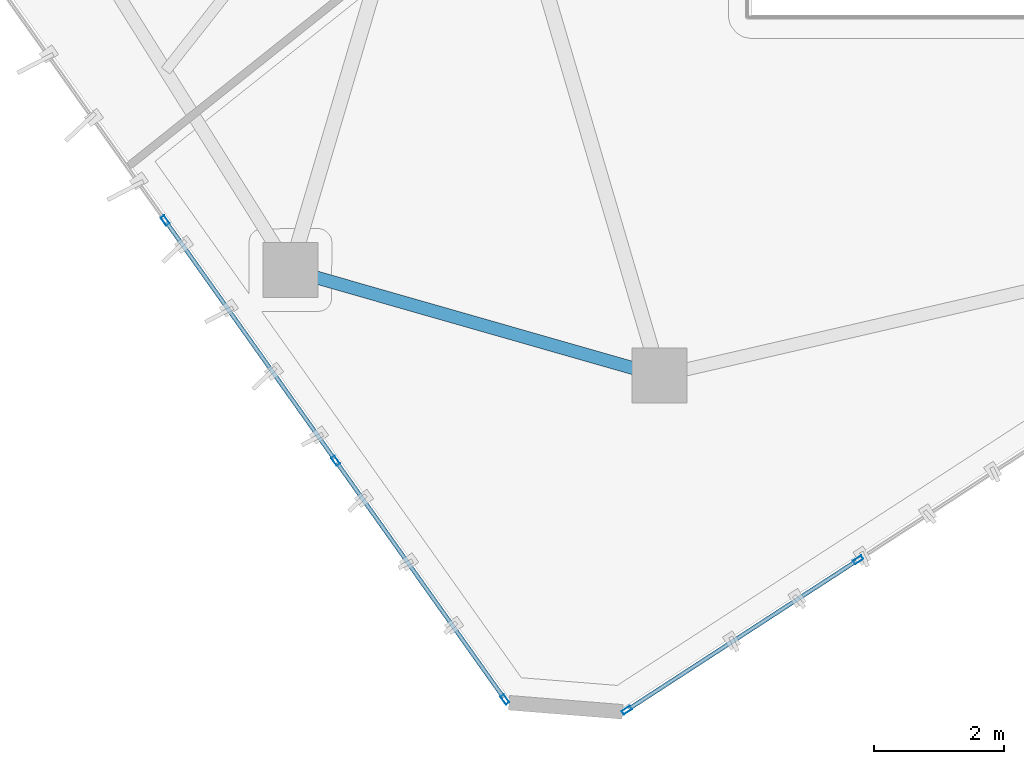
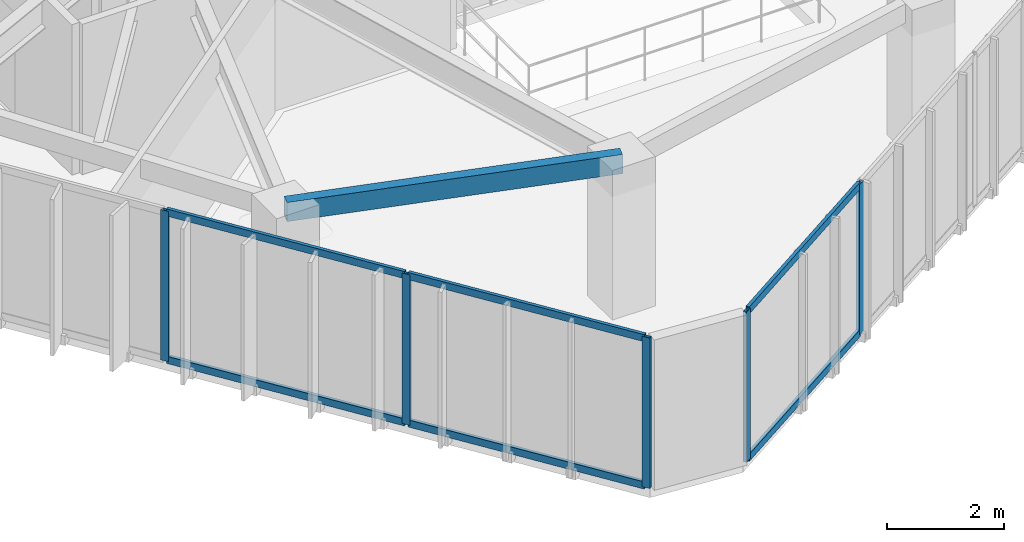
# One storey, part 2 of 20: 11 members, 1 beam, 2 elements without a shape of their own.
"""IFC4 building model written with IfcOpenShell, lengths in metres."""

from ifc_helpers import new_model, si_unit, direction, frame, origin, origin_2d, place, context, subcontext, project, spatial, hollow_rectangle, extrude, source, transform, mapped, material, layer, layer_set, material_profile, profile_set, type_object, type_shapes, element, aggregate, save


model = new_model("IFC4")

# Units and contexts
model_context = context("Model", 3, precision=1e-05, world=origin(), true_north=direction((0.0, 1.0)))
body_context = subcontext(model_context, "Body", "Model", "MODEL_VIEW")
ifc_project = project(units=[si_unit("LENGTHUNIT", "METRE"), si_unit("AREAUNIT", "SQUARE_METRE"), si_unit("VOLUMEUNIT", "CUBIC_METRE"), si_unit("PLANEANGLEUNIT", "RADIAN"), si_unit("MASSUNIT", "GRAM", prefix="KILO")], contexts=[model_context])

# Site, building, storey
site_placement = place(None, origin())
site = spatial("IfcSite", under=ifc_project, at=site_placement, CompositionType="ELEMENT")
building_placement = place(site_placement, origin())
building = spatial("IfcBuilding", under=site, at=building_placement, Name="Talar Marvaseh", CompositionType="ELEMENT")
storey_placement = place(building_placement, frame((0.0, 0.0, 247.60009765625)))
storey = spatial("IfcBuildingStorey", under=building, at=storey_placement, Name="L65", CompositionType="ELEMENT", Elevation=247.60009765625)

# Beam
ifc_material_1 = material(Name="Steel S355", Category="steel")
ifc_material_profile_1 = material_profile(ifc_material_1, hollow_rectangle(XDim=0.199951171875, YDim=0.39990234375, WallThickness=0.013916015625, at=origin_2d()), Name="RHS400x200x14")
ifc_profile_set_1 = profile_set([ifc_material_profile_1], Name="Steel S355")
beam_type = type_object("IfcBeamType", Name="Zone 3 Perimeter Spandrel Beam RHS400x200x14", PredefinedType="SPANDREL", material=ifc_profile_set_1)
beam_placement = place(storey_placement, frame((21.77587890625, 15.0400390625, 2.93994140625), z_axis=(-0.961411768303, 0.275113452538, 0.0), x_axis=(-0.275113452538, -0.961411768303, 0.0)))
element("IfcBeam", 1, at=beam_placement, inside=storey, type_object=beam_type, Name="L65 Zone 3 Perimeter Spandrel Beam RHS400x200x14", PredefinedType="SPANDREL", context=body_context, shape_type="SweptSolid", body=[
    extrude(hollow_rectangle(XDim=0.199951171875, YDim=0.39990234375, WallThickness=0.013916015625, at=origin_2d()), origin(), (0.0, 0.0, 1.0), 5.917236328125),
])

# Curtain wall, members
ifc_material_2 = material(Name="Architectural Aluminium", Category="aluminium")
ifc_layer = layer(ifc_material_2, 0.179931640625)
ifc_layer_set = layer_set([ifc_layer], Name="Architectural Aluminium")
curtain_wall_type = type_object("IfcCurtainWallType", Name="Unitised High-Wind Sky Curtain Wall Z4", PredefinedType="NOTDEFINED", material=ifc_layer_set)
curtain_wall_1_placement = place(storey_placement, origin())
curtain_wall_1 = element("IfcCurtainWall", 2, at=curtain_wall_1_placement, inside=storey, type_object=curtain_wall_type, Name="L65 Unitised High-Wind Sky Curtain Wall Z4", PredefinedType="NOTDEFINED")
ifc_material_profile_2 = material_profile(ifc_material_2, hollow_rectangle(XDim=0.06494140625, YDim=0.14990234375, WallThickness=0.00390625, at=origin_2d()), Name="RHS150x65x4")
ifc_profile_set_2 = profile_set([ifc_material_profile_2], Name="Architectural Aluminium")
member_type_1 = type_object("IfcMemberType", Name="Unitised Curtain Wall Slim Mullion RHS150x65x4", PredefinedType="MULLION", material=ifc_profile_set_2)
shared_shape_1 = source(origin(), body_context, "Body", "SweptSolid", [
    extrude(hollow_rectangle(XDim=0.06494140625, YDim=0.14990234375, WallThickness=0.00390625, at=origin_2d()), origin(), (0.0, 0.0, 1.0), 3.139892578125),
])
type_shapes(member_type_1, [shared_shape_1])
member_1_placement = place(storey_placement, frame((19.395263671875, 10.04736328125, 0.0), z_axis=(0.0, 0.0, 1.0), x_axis=(-0.815673489833, -0.578512539176, 0.0)))
member_1 = element("IfcMember", 3, at=member_1_placement, type_object=member_type_1, Name="CW-Z4 mullion 1", PredefinedType="MULLION", context=body_context, shape_type="MappedRepresentation", body=[
    mapped(shared_shape_1, transform((0.0, 0.0, 0.0), x_axis=(1.0, 0.0, 0.0), y_axis=(0.0, 1.0, 0.0), z_axis=(0.0, 0.0, 1.0), scale=1.0)),
])
member_2_placement = place(storey_placement, frame((16.784912109375, 13.72802734375, 0.0), z_axis=(0.0, 0.0, 1.0), x_axis=(-0.815673489833, -0.578512539176, 0.0)))
member_2 = element("IfcMember", 4, at=member_2_placement, type_object=member_type_1, Name="CW-Z4 mullion 2", PredefinedType="MULLION", context=body_context, shape_type="MappedRepresentation", body=[
    mapped(shared_shape_1, transform((0.0, 0.0, 0.0), x_axis=(1.0, 0.0, 0.0), y_axis=(0.0, 1.0, 0.0), z_axis=(0.0, 0.0, 1.0), scale=1.0)),
])
member_3_placement = place(storey_placement, frame((14.155517578125, 17.43505859375, 0.0), z_axis=(0.0, 0.0, 1.0), x_axis=(-0.815673489833, -0.578512539176, 0.0)))
member_3 = element("IfcMember", 5, at=member_3_placement, type_object=member_type_1, Name="CW-Z4 mullion 3", PredefinedType="MULLION", context=body_context, shape_type="MappedRepresentation", body=[
    mapped(shared_shape_1, transform((0.0, 0.0, 0.0), x_axis=(1.0, 0.0, 0.0), y_axis=(0.0, 1.0, 0.0), z_axis=(0.0, 0.0, 1.0), scale=1.0)),
])

curtain_wall_2_placement = place(storey_placement, origin())
curtain_wall_2 = element("IfcCurtainWall", 6, at=curtain_wall_2_placement, inside=storey, type_object=curtain_wall_type, Name="L65 Unitised High-Wind Sky Curtain Wall Z4", PredefinedType="NOTDEFINED")
member_4_placement = place(storey_placement, frame((24.842529296875, 12.2001953125, 0.0), z_axis=(0.0, 0.0, 1.0), x_axis=(0.544769379387, -0.838585906919, 0.0)))
member_4 = element("IfcMember", 7, at=member_4_placement, type_object=member_type_1, Name="CW-Z4 mullion 4", PredefinedType="MULLION", context=body_context, shape_type="MappedRepresentation", body=[
    mapped(shared_shape_1, transform((0.0, 0.0, 0.0), x_axis=(1.0, 0.0, 0.0), y_axis=(0.0, 1.0, 0.0), z_axis=(0.0, 0.0, 1.0), scale=1.0)),
])
member_5_placement = place(storey_placement, frame((21.275390625, 9.8828125, 0.0), z_axis=(0.0, 0.0, 1.0), x_axis=(0.544769379387, -0.838585906919, 0.0)))
member_5 = element("IfcMember", 8, at=member_5_placement, type_object=member_type_1, Name="CW-Z4 mullion 5", PredefinedType="MULLION", context=body_context, shape_type="MappedRepresentation", body=[
    mapped(shared_shape_1, transform((0.0, 0.0, 0.0), x_axis=(1.0, 0.0, 0.0), y_axis=(0.0, 1.0, 0.0), z_axis=(0.0, 0.0, 1.0), scale=1.0)),
])

# Member
ifc_material_profile_3 = material_profile(ifc_material_2, hollow_rectangle(XDim=0.06494140625, YDim=0.14990234375, WallThickness=0.00390625, at=origin_2d()), Name="RHS150x65x4")
ifc_profile_set_3 = profile_set([ifc_material_profile_3], Name="Architectural Aluminium")
member_type_2 = type_object("IfcMemberType", Name="Unitised Curtain Wall Slim Transom RHS150x65x4", PredefinedType="USERDEFINED", material=ifc_profile_set_3)
shared_shape_2 = source(origin(), body_context, "Body", "SweptSolid", [
    extrude(hollow_rectangle(XDim=0.06494140625, YDim=0.14990234375, WallThickness=0.00390625, at=origin_2d()), origin(), (0.0, 0.0, 1.0), 4.447265625),
])
member_6_placement = place(storey_placement, frame((19.37646484375, 10.073974609375, 0.032470703125), z_axis=(-0.578513789791, 0.815672602839, 0.0), x_axis=(-0.815672602839, -0.578513789791, 0.0)))
member_6 = element("IfcMember", 9, at=member_6_placement, type_object=member_type_2, Name="CW-Z4 transom 1.1", ObjectType="TRANSOM", PredefinedType="USERDEFINED", context=body_context, shape_type="MappedRepresentation", body=[
    mapped(shared_shape_2, transform((0.0, 0.0, 0.0), x_axis=(1.0, 0.0, 0.0), y_axis=(0.0, 1.0, 0.0), z_axis=(0.0, 0.0, 1.0), scale=1.0)),
])

member_7_placement = place(storey_placement, frame((19.37646484375, 10.073974609375, 3.107421875), z_axis=(-0.578513789791, 0.815672602839, 0.0), x_axis=(-0.815672602839, -0.578513789791, 0.0)))
member_7 = element("IfcMember", 10, at=member_7_placement, type_object=member_type_2, Name="CW-Z4 transom 1.2", ObjectType="TRANSOM", PredefinedType="USERDEFINED", context=body_context, shape_type="MappedRepresentation", body=[
    mapped(shared_shape_2, transform((0.0, 0.0, 0.0), x_axis=(1.0, 0.0, 0.0), y_axis=(0.0, 1.0, 0.0), z_axis=(0.0, 0.0, 1.0), scale=1.0)),
])

shared_shape_3 = source(origin(), body_context, "Body", "SweptSolid", [
    extrude(hollow_rectangle(XDim=0.06494140625, YDim=0.14990234375, WallThickness=0.00390625, at=origin_2d()), origin(), (0.0, 0.0, 1.0), 4.47998046875),
])
member_8_placement = place(storey_placement, frame((16.76611328125, 13.754638671875, 0.032470703125), z_axis=(-0.578538880671, 0.815654806613, 0.0), x_axis=(-0.815654806613, -0.578538880671, 0.0)))
member_8 = element("IfcMember", 11, at=member_8_placement, type_object=member_type_2, Name="CW-Z4 transom 2.1", ObjectType="TRANSOM", PredefinedType="USERDEFINED", context=body_context, shape_type="MappedRepresentation", body=[
    mapped(shared_shape_3, transform((0.0, 0.0, 0.0), x_axis=(1.0, 0.0, 0.0), y_axis=(0.0, 1.0, 0.0), z_axis=(0.0, 0.0, 1.0), scale=1.0)),
])

member_9_placement = place(storey_placement, frame((16.76611328125, 13.754638671875, 3.107421875), z_axis=(-0.578538880671, 0.815654806613, 0.0), x_axis=(-0.815654806613, -0.578538880671, 0.0)))
member_9 = element("IfcMember", 12, at=member_9_placement, type_object=member_type_2, Name="CW-Z4 transom 2.2", ObjectType="TRANSOM", PredefinedType="USERDEFINED", context=body_context, shape_type="MappedRepresentation", body=[
    mapped(shared_shape_3, transform((0.0, 0.0, 0.0), x_axis=(1.0, 0.0, 0.0), y_axis=(0.0, 1.0, 0.0), z_axis=(0.0, 0.0, 1.0), scale=1.0)),
])

aggregate(curtain_wall_1, [member_1, member_2, member_3, member_6, member_7, member_8, member_9])

shared_shape_4 = source(origin(), body_context, "Body", "SweptSolid", [
    extrude(hollow_rectangle(XDim=0.06494140625, YDim=0.14990234375, WallThickness=0.00390625, at=origin_2d()), origin(), (0.0, 0.0, 1.0), 4.18896484375),
])
type_shapes(member_type_2, [shared_shape_2, shared_shape_3, shared_shape_4])
member_10_placement = place(storey_placement, frame((24.815185546875, 12.182373046875, 0.032470703125), z_axis=(-0.838582076411, -0.5447752758, 0.0), x_axis=(0.5447752758, -0.838582076411, 0.0)))
member_10 = element("IfcMember", 13, at=member_10_placement, type_object=member_type_2, Name="CW-Z4 transom 4.1", ObjectType="TRANSOM", PredefinedType="USERDEFINED", context=body_context, shape_type="MappedRepresentation", body=[
    mapped(shared_shape_4, transform((0.0, 0.0, 0.0), x_axis=(1.0, 0.0, 0.0), y_axis=(0.0, 1.0, 0.0), z_axis=(0.0, 0.0, 1.0), scale=1.0)),
])

member_11_placement = place(storey_placement, frame((24.815185546875, 12.182373046875, 3.107421875), z_axis=(-0.838582076411, -0.5447752758, 0.0), x_axis=(0.5447752758, -0.838582076411, 0.0)))
member_11 = element("IfcMember", 14, at=member_11_placement, type_object=member_type_2, Name="CW-Z4 transom 4.2", ObjectType="TRANSOM", PredefinedType="USERDEFINED", context=body_context, shape_type="MappedRepresentation", body=[
    mapped(shared_shape_4, transform((0.0, 0.0, 0.0), x_axis=(1.0, 0.0, 0.0), y_axis=(0.0, 1.0, 0.0), z_axis=(0.0, 0.0, 1.0), scale=1.0)),
])

aggregate(curtain_wall_2, [member_4, member_5, member_10, member_11])

save(model, "model.ifc")
